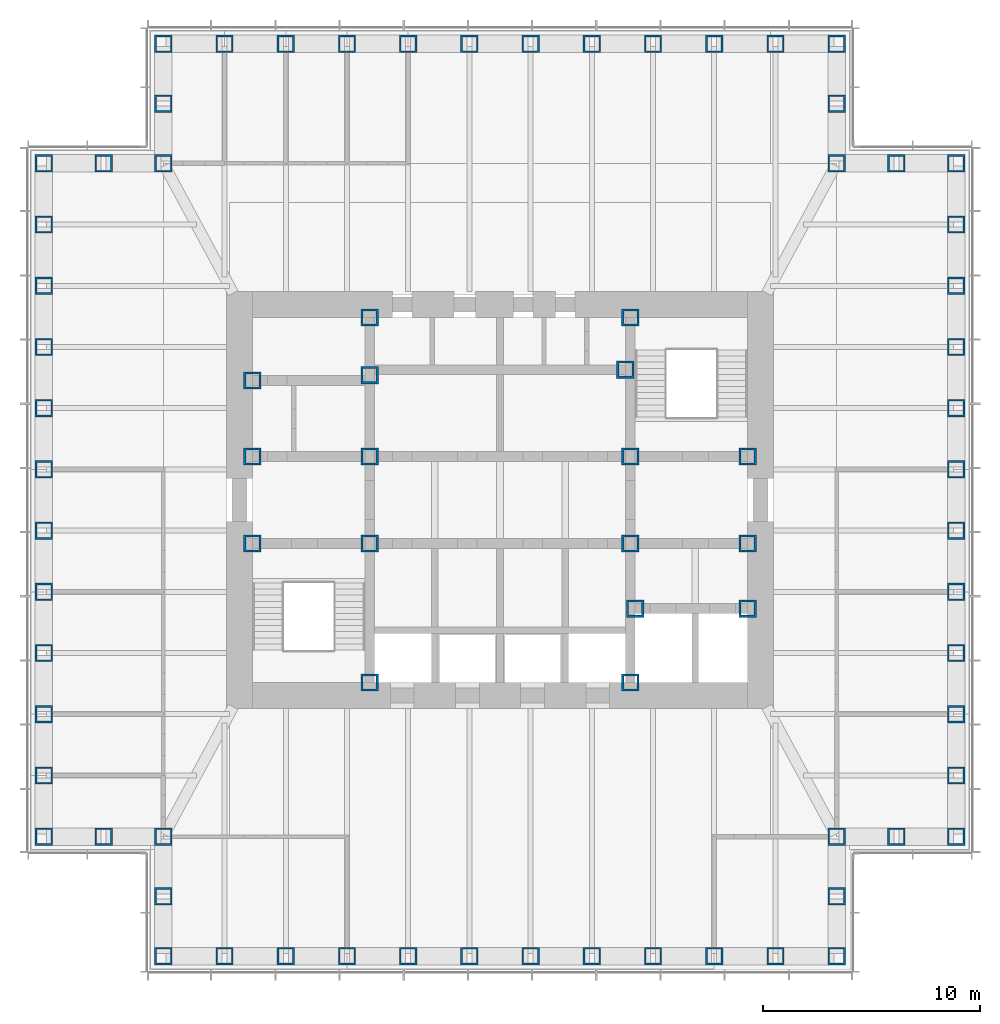
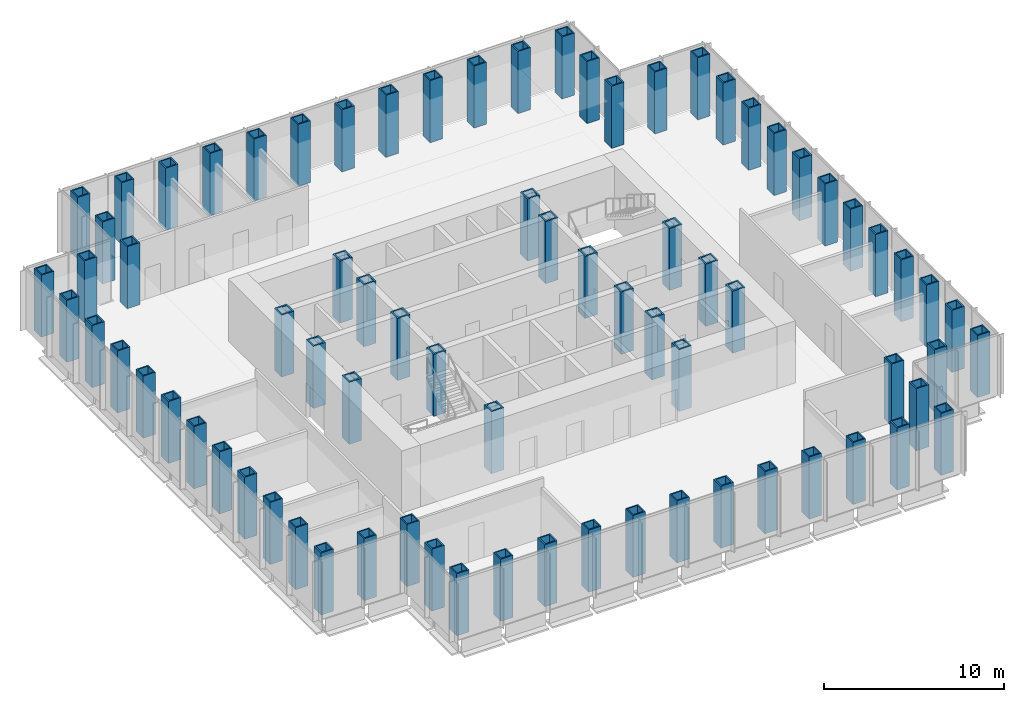
# One storey, part 1 of 16: 77 columns.
"""IFC4 building model written with IfcOpenShell, lengths in metres."""

from ifc_helpers import new_model, si_unit, direction, frame, origin, origin_2d, place, context, subcontext, project, spatial, hollow_rectangle, extrude, material, material_profile, profile_set, type_object, element, save


model = new_model("IFC4")

# Units and contexts
model_context = context("Model", 3, precision=1e-05, world=origin(), true_north=direction((0.0, 1.0)))
body_context = subcontext(model_context, "Body", "Model", "MODEL_VIEW")
ifc_project = project(units=[si_unit("LENGTHUNIT", "METRE"), si_unit("AREAUNIT", "SQUARE_METRE"), si_unit("VOLUMEUNIT", "CUBIC_METRE"), si_unit("PLANEANGLEUNIT", "RADIAN"), si_unit("MASSUNIT", "GRAM", prefix="KILO")], contexts=[model_context])

# Site, building, storey
site_placement = place(None, origin())
site = spatial("IfcSite", under=ifc_project, at=site_placement, CompositionType="ELEMENT")
building_placement = place(site_placement, origin())
building = spatial("IfcBuilding", under=site, at=building_placement, Name="Daluyong Arena Tower", CompositionType="ELEMENT")
storey_placement = place(building_placement, frame((0.0, 0.0, 235.89990234375)))
storey = spatial("IfcBuildingStorey", under=building, at=storey_placement, Name="L53", CompositionType="ELEMENT", Elevation=235.89990234375)

# Columns
ifc_material_1 = material(Name="Steel ASTM A572 Grade 50", Category="steel")
ifc_material_profile_1 = material_profile(ifc_material_1, hollow_rectangle(XDim=0.800048828125, YDim=0.800048828125, WallThickness=0.1, at=origin_2d()))
ifc_profile_set_1 = profile_set([ifc_material_profile_1], Name="Steel ASTM A572 Grade 50")
column_type_1 = type_object("IfcColumnType", Name="Core boundary column BX800X100", PredefinedType="COLUMN", material=ifc_profile_set_1)
for number, where, z_axis, x_axis, name in (
    (1, (44.60009765625, 78.0, 0.0), (0.0, 0.0, 1.0), (1.0, 0.0, 0.0), "core boundary column BC2"),
    (2, (44.60009765625, 82.0, 0.0), (0.0, 0.0, 1.0), (1.0, 0.0, 0.0), "core boundary column BC2"),
    (3, (44.60009765625, 85.5, 0.0), (0.0, 0.0, 1.0), (1.0, 0.0, 0.0), "core boundary column BC2"),
    (4, (50.0, 71.60009765625, 0.0), (0.0, 0.0, 1.0), (1.0, 0.0, 0.0), "core boundary column BC2"),
    (5, (50.0, 78.0, 0.0), (0.0, 0.0, 1.0), (1.0, 0.0, 0.0), "core boundary column BC2"),
    (6, (50.0, 82.0, 0.0), (0.0, 0.0, 1.0), (1.0, 0.0, 0.0), "core boundary column BC2"),
    (7, (50.0, 85.75, 0.0), (0.0, 0.0, 1.0), (1.0, 0.0, 0.0), "core boundary column BC2"),
    (8, (50.0, 88.39990234375, 0.0), (0.0, 0.0, 1.0), (1.0, 0.0, 0.0), "core boundary column BC2"),
    (9, (61.77490234375, 86.0, 0.0), (0.0, 0.0, 1.0), (1.0, 0.0, 0.0), "core boundary column BC2"),
    (10, (62.0, 71.60009765625, 0.0), (0.0, 0.0, 1.0), (1.0, 0.0, 0.0), "core boundary column BC2"),
    (11, (62.0, 78.0, 0.0), (0.0, 0.0, 1.0), (1.0, 0.0, 0.0), "core boundary column BC2"),
    (12, (62.0, 82.0, 0.0), (0.0, 0.0, 1.0), (1.0, 0.0, 0.0), "core boundary column BC2"),
    (13, (62.0, 88.39990234375, 0.0), (0.0, 0.0, 1.0), (1.0, 0.0, 0.0), "core boundary column BC2"),
    (14, (62.22509765625, 75.0, 0.0), (0.0, 0.0, 1.0), (1.0, 0.0, 0.0), "core boundary column BC2"),
    (15, (67.39990234375, 75.0, 0.0), (0.0, 0.0, 1.0), (1.0, 0.0, 0.0), "core boundary column BC2"),
    (16, (67.39990234375, 78.0, 0.0), (0.0, 0.0, 1.0), (1.0, 0.0, 0.0), "core boundary column BC2"),
    (17, (67.39990234375, 82.0, 0.0), (0.0, 0.0, 1.0), (1.0, 0.0, 0.0), "core boundary column BC2"),
):
    element("IfcColumn", number, at=place(storey_placement, frame(where, z_axis=z_axis, x_axis=x_axis)), inside=storey, type_object=column_type_1, Name=name, PredefinedType="COLUMN", context=body_context, shape_type="SweptSolid", body=[
        extrude(hollow_rectangle(XDim=0.800048828125, YDim=0.800048828125, WallThickness=0.1, at=origin_2d()), origin(), (0.0, 0.0, 1.0), 4.2001953125),
    ])
ifc_material_2 = material(Name="Steel ASTM A572 Grade 50", Category="steel")
ifc_material_profile_2 = material_profile(ifc_material_2, hollow_rectangle(XDim=0.800048828125, YDim=0.800048828125, WallThickness=0.08, at=origin_2d()))
ifc_profile_set_2 = profile_set([ifc_material_profile_2], Name="Steel ASTM A572 Grade 50")
column_type_2 = type_object("IfcColumnType", Name="Tube column BX800X80 BX800X80", PredefinedType="COLUMN", material=ifc_profile_set_2)
for number, where, z_axis, x_axis, name in (
    (18, (40.5, 59.0, 0.0), (0.0, 0.0, 1.0), (1.0, 0.0, 0.0), "tube column bx800x80 TC6"),
    (19, (43.318115234375, 59.0, 0.0), (0.0, 0.0, 1.0), (1.0, 0.0, 0.0), "tube column bx800x80 TC6"),
    (20, (46.136474609375, 59.0, 0.0), (0.0, 0.0, 1.0), (1.0, 0.0, 0.0), "tube column bx800x80 TC6"),
    (21, (48.95458984375, 59.0, 0.0), (0.0, 0.0, 1.0), (1.0, 0.0, 0.0), "tube column bx800x80 TC6"),
    (22, (51.772705078125, 59.0, 0.0), (0.0, 0.0, 1.0), (1.0, 0.0, 0.0), "tube column bx800x80 TC6"),
    (23, (54.5908203125, 59.0, 0.0), (0.0, 0.0, 1.0), (1.0, 0.0, 0.0), "tube column bx800x80 TC6"),
    (24, (57.4091796875, 59.0, 0.0), (0.0, 0.0, 1.0), (1.0, 0.0, 0.0), "tube column bx800x80 TC6"),
    (25, (60.227294921875, 59.0, 0.0), (0.0, 0.0, 1.0), (1.0, 0.0, 0.0), "tube column bx800x80 TC6"),
    (26, (63.04541015625, 59.0, 0.0), (0.0, 0.0, 1.0), (1.0, 0.0, 0.0), "tube column bx800x80 TC6"),
    (27, (65.863525390625, 59.0, 0.0), (0.0, 0.0, 1.0), (1.0, 0.0, 0.0), "tube column bx800x80 TC6"),
    (28, (68.681884765625, 59.0, 0.0), (0.0, 0.0, 1.0), (1.0, 0.0, 0.0), "tube column bx800x80 TC6"),
    (29, (71.5, 59.0, 0.0), (0.0, 0.0, 1.0), (0.0, 1.0, 0.0), "tube column bx800x80 TC6"),
    (30, (71.5, 61.75, 0.0), (0.0, 0.0, 1.0), (0.0, 1.0, 0.0), "tube column bx800x80 TC6"),
    (31, (71.5, 64.5, 0.0), (0.0, 0.0, 1.0), (1.0, 0.0, 0.0), "tube column bx800x80 TC6"),
    (32, (74.25, 64.5, 0.0), (0.0, 0.0, 1.0), (1.0, 0.0, 0.0), "tube column bx800x80 TC6"),
    (33, (77.0, 64.5, 0.0), (0.0, 0.0, 1.0), (0.0, 1.0, 0.0), "tube column bx800x80 TC6"),
    (34, (77.0, 67.318115234375, 0.0), (0.0, 0.0, 1.0), (0.0, 1.0, 0.0), "tube column bx800x80 TC6"),
    (35, (77.0, 70.136474609375, 0.0), (0.0, 0.0, 1.0), (0.0, 1.0, 0.0), "tube column bx800x80 TC6"),
    (36, (77.0, 72.95458984375, 0.0), (0.0, 0.0, 1.0), (0.0, 1.0, 0.0), "tube column bx800x80 TC6"),
    (37, (77.0, 75.772705078125, 0.0), (0.0, 0.0, 1.0), (0.0, 1.0, 0.0), "tube column bx800x80 TC6"),
    (38, (77.0, 78.5908203125, 0.0), (0.0, 0.0, 1.0), (0.0, 1.0, 0.0), "tube column bx800x80 TC6"),
    (39, (77.0, 81.4091796875, 0.0), (0.0, 0.0, 1.0), (0.0, 1.0, 0.0), "tube column bx800x80 TC6"),
    (40, (77.0, 84.227294921875, 0.0), (0.0, 0.0, 1.0), (0.0, 1.0, 0.0), "tube column bx800x80 TC6"),
    (41, (77.0, 87.04541015625, 0.0), (0.0, 0.0, 1.0), (0.0, 1.0, 0.0), "tube column bx800x80 TC6"),
    (42, (77.0, 89.863525390625, 0.0), (0.0, 0.0, 1.0), (0.0, 1.0, 0.0), "tube column bx800x80 TC6"),
    (43, (77.0, 92.681884765625, 0.0), (0.0, 0.0, 1.0), (0.0, 1.0, 0.0), "tube column bx800x80 TC6"),
    (44, (77.0, 95.5, 0.0), (0.0, 0.0, 1.0), (1.0, 0.0, 0.0), "tube column bx800x80 TC6"),
    (45, (74.25, 95.5, 0.0), (0.0, 0.0, 1.0), (1.0, 0.0, 0.0), "tube column bx800x80 TC6"),
    (46, (71.5, 95.5, 0.0), (0.0, 0.0, 1.0), (0.0, 1.0, 0.0), "tube column bx800x80 TC6"),
    (47, (71.5, 98.25, 0.0), (0.0, 0.0, 1.0), (0.0, 1.0, 0.0), "tube column bx800x80 TC6"),
    (48, (71.5, 101.0, 0.0), (0.0, 0.0, 1.0), (1.0, 0.0, 0.0), "tube column bx800x80 TC6"),
    (49, (68.681884765625, 101.0, 0.0), (0.0, 0.0, 1.0), (1.0, 0.0, 0.0), "tube column bx800x80 TC6"),
    (50, (65.863525390625, 101.0, 0.0), (0.0, 0.0, 1.0), (1.0, 0.0, 0.0), "tube column bx800x80 TC6"),
    (51, (63.04541015625, 101.0, 0.0), (0.0, 0.0, 1.0), (1.0, 0.0, 0.0), "tube column bx800x80 TC6"),
    (52, (60.227294921875, 101.0, 0.0), (0.0, 0.0, 1.0), (1.0, 0.0, 0.0), "tube column bx800x80 TC6"),
    (53, (57.4091796875, 101.0, 0.0), (0.0, 0.0, 1.0), (1.0, 0.0, 0.0), "tube column bx800x80 TC6"),
    (54, (54.5908203125, 101.0, 0.0), (0.0, 0.0, 1.0), (1.0, 0.0, 0.0), "tube column bx800x80 TC6"),
    (55, (51.772705078125, 101.0, 0.0), (0.0, 0.0, 1.0), (1.0, 0.0, 0.0), "tube column bx800x80 TC6"),
    (56, (48.95458984375, 101.0, 0.0), (0.0, 0.0, 1.0), (1.0, 0.0, 0.0), "tube column bx800x80 TC6"),
    (57, (46.136474609375, 101.0, 0.0), (0.0, 0.0, 1.0), (1.0, 0.0, 0.0), "tube column bx800x80 TC6"),
    (58, (43.318115234375, 101.0, 0.0), (0.0, 0.0, 1.0), (1.0, 0.0, 0.0), "tube column bx800x80 TC6"),
    (59, (40.5, 101.0, 0.0), (0.0, 0.0, 1.0), (0.0, 1.0, 0.0), "tube column bx800x80 TC6"),
    (60, (40.5, 98.25, 0.0), (0.0, 0.0, 1.0), (0.0, 1.0, 0.0), "tube column bx800x80 TC6"),
    (61, (40.5, 95.5, 0.0), (0.0, 0.0, 1.0), (1.0, 0.0, 0.0), "tube column bx800x80 TC6"),
    (62, (37.75, 95.5, 0.0), (0.0, 0.0, 1.0), (1.0, 0.0, 0.0), "tube column bx800x80 TC6"),
    (63, (35.0, 95.5, 0.0), (0.0, 0.0, 1.0), (0.0, 1.0, 0.0), "tube column bx800x80 TC6"),
    (64, (35.0, 92.681884765625, 0.0), (0.0, 0.0, 1.0), (0.0, 1.0, 0.0), "tube column bx800x80 TC6"),
    (65, (35.0, 89.863525390625, 0.0), (0.0, 0.0, 1.0), (0.0, 1.0, 0.0), "tube column bx800x80 TC6"),
    (66, (35.0, 87.04541015625, 0.0), (0.0, 0.0, 1.0), (0.0, 1.0, 0.0), "tube column bx800x80 TC6"),
    (67, (35.0, 84.227294921875, 0.0), (0.0, 0.0, 1.0), (0.0, 1.0, 0.0), "tube column bx800x80 TC6"),
    (68, (35.0, 81.4091796875, 0.0), (0.0, 0.0, 1.0), (0.0, 1.0, 0.0), "tube column bx800x80 TC6"),
    (69, (35.0, 78.5908203125, 0.0), (0.0, 0.0, 1.0), (0.0, 1.0, 0.0), "tube column bx800x80 TC6"),
    (70, (35.0, 75.772705078125, 0.0), (0.0, 0.0, 1.0), (0.0, 1.0, 0.0), "tube column bx800x80 TC6"),
    (71, (35.0, 72.95458984375, 0.0), (0.0, 0.0, 1.0), (0.0, 1.0, 0.0), "tube column bx800x80 TC6"),
    (72, (35.0, 70.136474609375, 0.0), (0.0, 0.0, 1.0), (0.0, 1.0, 0.0), "tube column bx800x80 TC6"),
    (73, (35.0, 67.318115234375, 0.0), (0.0, 0.0, 1.0), (0.0, 1.0, 0.0), "tube column bx800x80 TC6"),
    (74, (35.0, 64.5, 0.0), (0.0, 0.0, 1.0), (1.0, 0.0, 0.0), "tube column bx800x80 TC6"),
    (75, (37.75, 64.5, 0.0), (0.0, 0.0, 1.0), (1.0, 0.0, 0.0), "tube column bx800x80 TC6"),
    (76, (40.5, 64.5, 0.0), (0.0, 0.0, 1.0), (0.0, 1.0, 0.0), "tube column bx800x80 TC6"),
    (77, (40.5, 61.75, 0.0), (0.0, 0.0, 1.0), (0.0, 1.0, 0.0), "tube column bx800x80 TC6"),
):
    element("IfcColumn", number, at=place(storey_placement, frame(where, z_axis=z_axis, x_axis=x_axis)), inside=storey, type_object=column_type_2, Name=name, PredefinedType="COLUMN", context=body_context, shape_type="SweptSolid", body=[
        extrude(hollow_rectangle(XDim=0.800048828125, YDim=0.800048828125, WallThickness=0.08, at=origin_2d()), origin(), (0.0, 0.0, 1.0), 4.2001953125),
    ])

save(model, "model.ifc")
